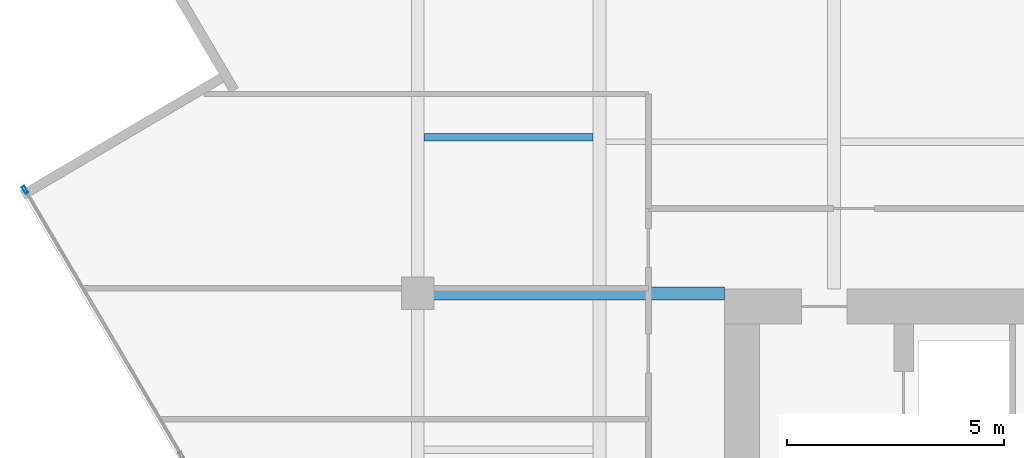
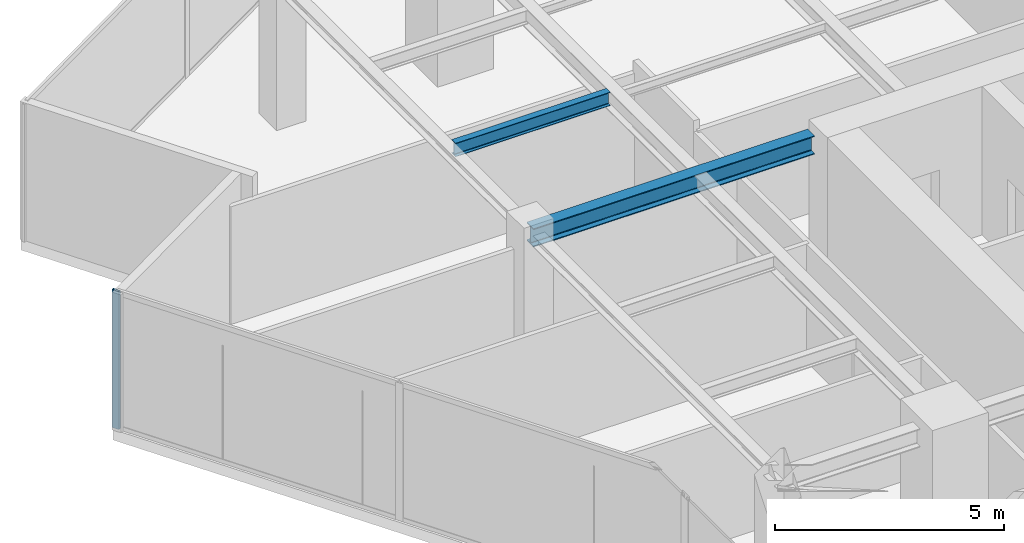
# One storey, part 6 of 20: 2 beams, 1 member, 1 element without a shape of its own.
"""IFC4 building model written with IfcOpenShell, lengths in metres."""

from ifc_helpers import new_model, si_unit, direction, frame, origin, origin_2d, place, context, subcontext, project, spatial, hollow_rectangle, i_section, extrude, source, transform, mapped, material, material_profile, profile_set, type_object, type_shapes, element, aggregate, save


model = new_model("IFC4")

# Units and contexts
model_context = context("Model", 3, precision=1e-05, world=origin(), true_north=direction((0.0, 1.0)))
body_context = subcontext(model_context, "Body", "Model", "MODEL_VIEW")
ifc_project = project(units=[si_unit("LENGTHUNIT", "METRE"), si_unit("AREAUNIT", "SQUARE_METRE"), si_unit("VOLUMEUNIT", "CUBIC_METRE"), si_unit("PLANEANGLEUNIT", "RADIAN"), si_unit("MASSUNIT", "GRAM", prefix="KILO")], contexts=[model_context])

# Site, building, storey
site_placement = place(None, origin())
site = spatial("IfcSite", under=ifc_project, at=site_placement, CompositionType="ELEMENT")
building_placement = place(site_placement, origin())
building = spatial("IfcBuilding", under=site, at=building_placement, Name="Krantzveldt Concourse Tower", CompositionType="ELEMENT")
storey_placement = place(building_placement, frame((0.0, 0.0, 295.050048828125)))
storey = spatial("IfcBuildingStorey", under=building, at=storey_placement, Name="L72", CompositionType="ELEMENT", Elevation=295.050048828125)

# Beams
ifc_material_1 = material(Name="Steel S355JR", Category="steel")
ifc_material_profile_1 = material_profile(ifc_material_1, i_section(OverallWidth=0.300048828125, OverallDepth=0.489990234375, WebThickness=0.011962890625, FlangeThickness=0.02294921875, FilletRadius=0.027099609375, at=origin_2d()), Name="Steel S355JR", Category="steel")
ifc_profile_set_1 = profile_set([ifc_material_profile_1], Name="Steel S355JR - HEA 500")
beam_type_1 = type_object("IfcBeamType", Name="BM-B-HEA500", PredefinedType="BEAM", material=ifc_profile_set_1)
shared_shape_1 = source(origin(), body_context, "Body", "SweptSolid", [
    extrude(i_section(OverallWidth=0.300048828125, OverallDepth=0.489990234375, WebThickness=0.011962890625, FlangeThickness=0.02294921875, FilletRadius=0.027099609375, at=origin_2d()), origin(), (0.0, 0.0, 1.0), 7.080078125),
])
type_shapes(beam_type_1, [shared_shape_1])
beam_1_placement = place(storey_placement, frame((21.0, 26.699951171875, 3.425048828125), z_axis=(1.0, 0.0, 0.0), x_axis=(0.0, 1.0, 0.0)))
element("IfcBeam", 1, at=beam_1_placement, inside=storey, type_object=beam_type_1, Name="L72 Tower Girder BG-CW2", PredefinedType="BEAM", context=body_context, shape_type="MappedRepresentation", body=[
    mapped(shared_shape_1, transform((0.0, 0.0, 0.0), x_axis=(1.0, 0.0, 0.0), y_axis=(0.0, 1.0, 0.0), z_axis=(0.0, 0.0, 1.0), scale=1.0)),
])
ifc_material_profile_2 = material_profile(ifc_material_1, i_section(OverallWidth=0.169921875, OverallDepth=0.360107421875, WebThickness=0.008056640625, FlangeThickness=0.0126953125, FilletRadius=0.01806640625, at=origin_2d()), Name="Steel S355JR", Category="steel")
ifc_profile_set_2 = profile_set([ifc_material_profile_2], Name="Steel S355JR - IPE 360")
beam_type_2 = type_object("IfcBeamType", Name="BM-J-IPE360", PredefinedType="JOIST", material=ifc_profile_set_2)
shared_shape_2 = source(origin(), body_context, "Body", "SweptSolid", [
    extrude(i_section(OverallWidth=0.169921875, OverallDepth=0.360107421875, WebThickness=0.008056640625, FlangeThickness=0.0126953125, FilletRadius=0.01806640625, at=origin_2d()), origin(), (0.0, 0.0, 1.0), 3.900146484375),
])
type_shapes(beam_type_2, [shared_shape_2])
beam_2_placement = place(storey_placement, frame((21.14990234375, 30.300048828125, 3.489990234375), z_axis=(1.0, 0.0, 0.0), x_axis=(0.0, 1.0, 0.0)))
element("IfcBeam", 2, at=beam_2_placement, inside=storey, type_object=beam_type_2, Name="L72 Secondary Floor Joist JW-3", PredefinedType="JOIST", context=body_context, shape_type="MappedRepresentation", body=[
    mapped(shared_shape_2, transform((0.0, 0.0, 0.0), x_axis=(1.0, 0.0, 0.0), y_axis=(0.0, 1.0, 0.0), z_axis=(0.0, 0.0, 1.0), scale=1.0)),
])

# Curtain wall, member
ifc_material_2 = material(Name="Anodised aluminium 6063-T6", Category="aluminium")
curtain_wall_type = type_object("IfcCurtainWallType", Name="CW4", PredefinedType="USERDEFINED", material=ifc_material_2)
curtain_wall_placement = place(storey_placement, origin())
curtain_wall = element("IfcCurtainWall", 3, at=curtain_wall_placement, inside=storey, type_object=curtain_wall_type, Name="CW-L72-F04", ObjectType="UNITISED CURTAIN WALL", PredefinedType="USERDEFINED")
ifc_material_profile_3 = material_profile(ifc_material_2, hollow_rectangle(XDim=0.070068359375, YDim=0.179931640625, WallThickness=0.0048828125, at=origin_2d()), Name="Anodised aluminium 6063-T6", Category="aluminium")
ifc_profile_set_3 = profile_set([ifc_material_profile_3], Name="Anodised aluminium 6063-T6 - ALU-MULL 180x70x5")
member_type = type_object("IfcMemberType", Name="CW-MUL-180", PredefinedType="MULLION", material=ifc_profile_set_3)
shared_shape_3 = source(origin(), body_context, "Body", "SweptSolid", [
    extrude(hollow_rectangle(XDim=0.070068359375, YDim=0.179931640625, WallThickness=0.0048828125, at=origin_2d()), origin(), (0.0, 0.0, 1.0), 3.669921875),
])
type_shapes(member_type, [shared_shape_3])
member_placement = place(storey_placement, frame((11.949462890625, 29.089111328125, 0.0), z_axis=(0.0, 0.0, 1.0), x_axis=(0.861629171479, 0.507538344223, 0.0)))
member = element("IfcMember", 4, at=member_placement, type_object=member_type, Name="CW-Z56 mullion 1", PredefinedType="MULLION", context=body_context, shape_type="MappedRepresentation", body=[
    mapped(shared_shape_3, transform((0.0, 0.0, 0.0), x_axis=(1.0, 0.0, 0.0), y_axis=(0.0, 1.0, 0.0), z_axis=(0.0, 0.0, 1.0), scale=1.0)),
])
aggregate(curtain_wall, [member])

save(model, "model.ifc")
